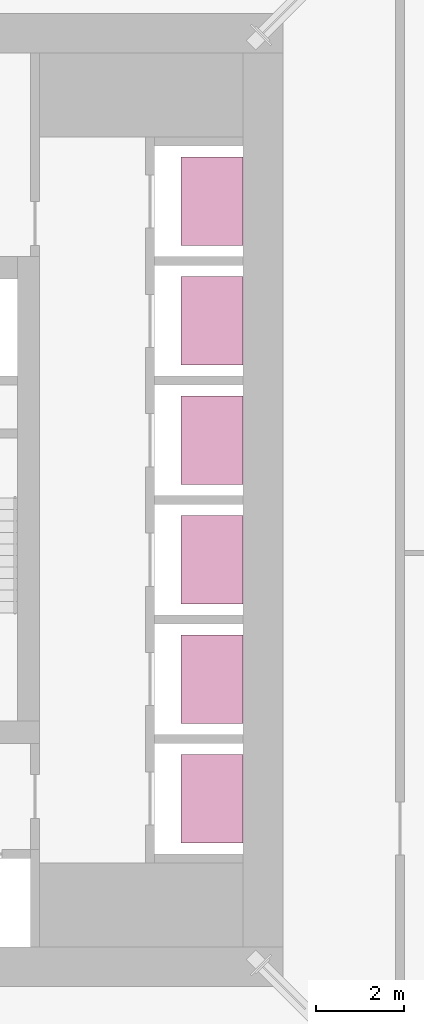
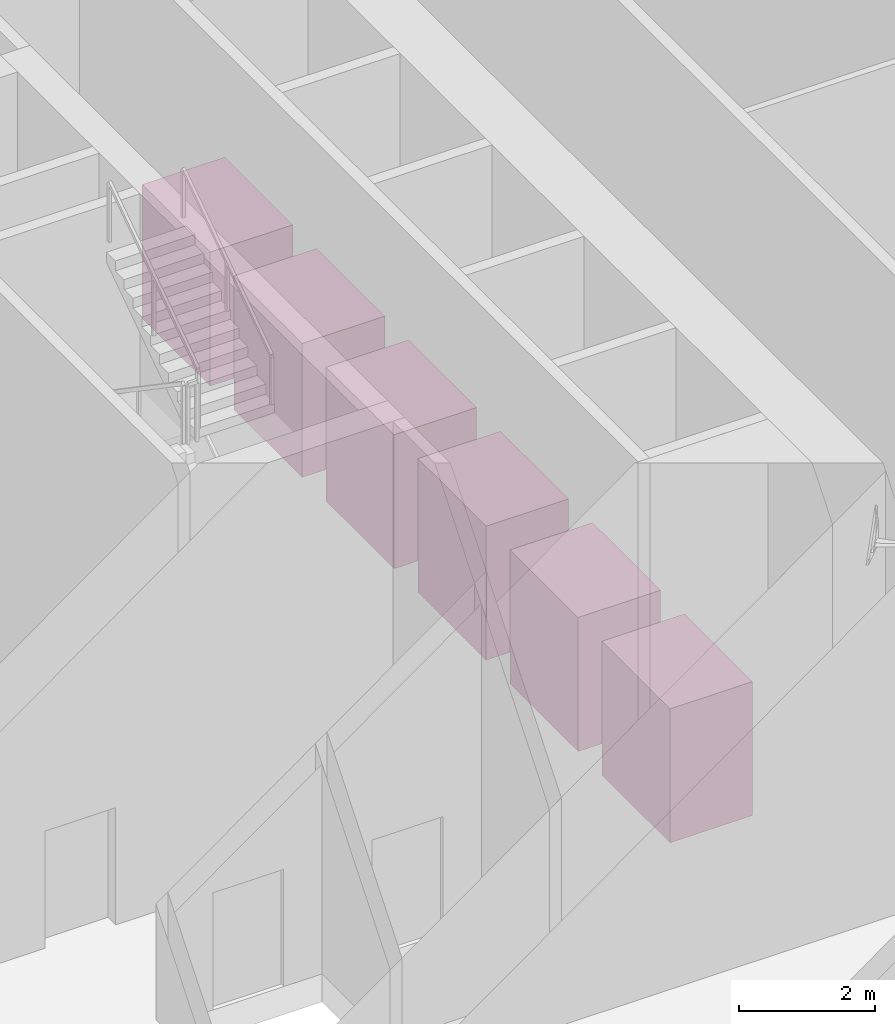
# One storey, part 21 of 21: 6 transport elements.
"""IFC4 building model written with IfcOpenShell, lengths in metres."""

from ifc_helpers import new_model, si_unit, direction, frame, origin, origin_2d, place, context, subcontext, project, spatial, rectangle, extrude, material, type_object, element, save


model = new_model("IFC4")

# Units and contexts
model_context = context("Model", 3, precision=1e-05, world=origin(), true_north=direction((0.0, 1.0)))
body_context = subcontext(model_context, "Body", "Model", "MODEL_VIEW")
ifc_project = project(units=[si_unit("LENGTHUNIT", "METRE"), si_unit("AREAUNIT", "SQUARE_METRE"), si_unit("VOLUMEUNIT", "CUBIC_METRE"), si_unit("PLANEANGLEUNIT", "RADIAN"), si_unit("MASSUNIT", "GRAM", prefix="KILO")], contexts=[model_context])

# Site, building, storey
site_placement = place(None, origin())
site = spatial("IfcSite", under=ifc_project, at=site_placement, CompositionType="ELEMENT")
building_placement = place(site_placement, origin())
building = spatial("IfcBuilding", under=site, at=building_placement, Name="Khepri Terraces", CompositionType="ELEMENT")
storey_placement = place(building_placement, frame((0.0, 0.0, 126.0)))
storey = spatial("IfcBuildingStorey", under=building, at=storey_placement, Name="L30", CompositionType="ELEMENT", Elevation=126.0)

# Transport elements
ifc_material = material(Name="Stainless steel 304", Category="steel")
transport_element_type = type_object("IfcTransportElementType", Name="LIFT-CAR-HIGH-RISE", PredefinedType="ELEVATOR", material=ifc_material)
for number, where, z_axis, x_axis, name in (
    (1, (9.39990234375, -6.75, 0.0), (0.0, 0.0, 1.0), (1.0, 0.0, 0.0), "High-rise lift HR1 car"),
    (2, (9.39990234375, -4.050048828125, 0.0), (0.0, 0.0, 1.0), (1.0, 0.0, 0.0), "High-rise lift HR2 car"),
    (3, (9.39990234375, -1.35009765625, 0.0), (0.0, 0.0, 1.0), (1.0, 0.0, 0.0), "High-rise lift HR3 car"),
    (4, (9.39990234375, 1.35009765625, 0.0), (0.0, 0.0, 1.0), (1.0, 0.0, 0.0), "High-rise lift HR4 car"),
    (5, (9.39990234375, 4.050048828125, 0.0), (0.0, 0.0, 1.0), (1.0, 0.0, 0.0), "High-rise lift HR5 car"),
    (6, (9.39990234375, 6.75, 0.0), (0.0, 0.0, 1.0), (1.0, 0.0, 0.0), "High-rise lift HR6 car"),
):
    element("IfcTransportElement", number, at=place(storey_placement, frame(where, z_axis=z_axis, x_axis=x_axis)), inside=storey, type_object=transport_element_type, Name=name, PredefinedType="ELEVATOR", context=body_context, shape_type="SweptSolid", body=[
        extrude(rectangle(XDim=1.39990234375, YDim=2.0, at=origin_2d()), origin(), (0.0, 0.0, 1.0), 2.39990234375),
    ])

save(model, "model.ifc")
